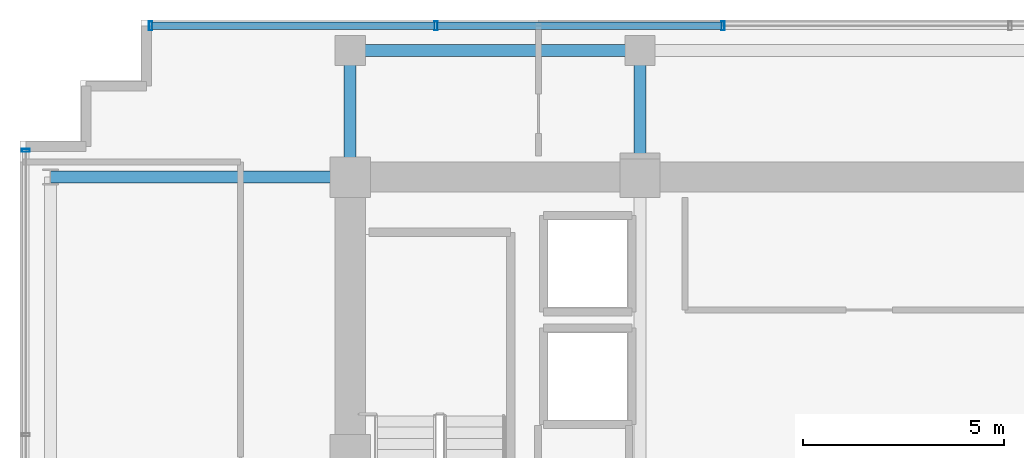
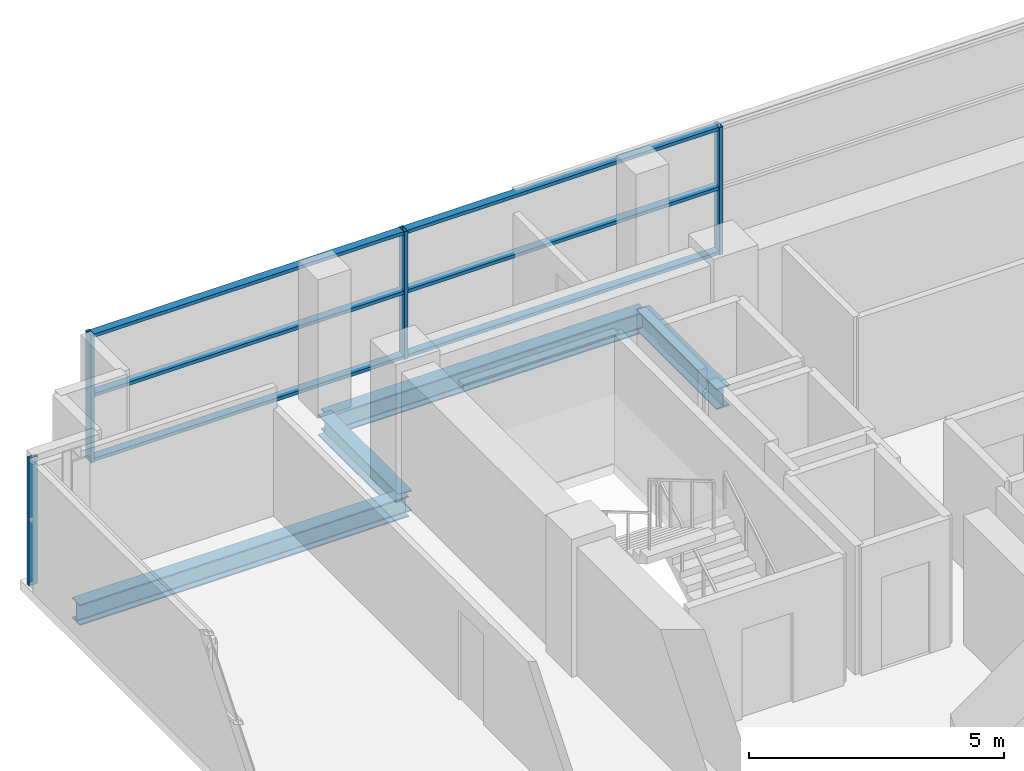
# One storey, part 10 of 21: 10 members, 4 beams, 2 elements without a shape of their own.
"""IFC4 building model written with IfcOpenShell, lengths in metres."""

from ifc_helpers import new_model, si_unit, direction, frame, origin, origin_2d, place, context, subcontext, project, spatial, hollow_rectangle, i_section, extrude, source, transform, mapped, material, layer, layer_set, material_profile, profile_set, type_object, element, aggregate, save


model = new_model("IFC4")

# Units and contexts
model_context = context("Model", 3, precision=1e-05, world=origin(), true_north=direction((0.0, 1.0)))
body_context = subcontext(model_context, "Body", "Model", "MODEL_VIEW")
ifc_project = project(units=[si_unit("LENGTHUNIT", "METRE"), si_unit("AREAUNIT", "SQUARE_METRE"), si_unit("VOLUMEUNIT", "CUBIC_METRE"), si_unit("PLANEANGLEUNIT", "RADIAN"), si_unit("MASSUNIT", "GRAM", prefix="KILO")], contexts=[model_context])

# Site, building, storey
site_placement = place(None, origin())
site = spatial("IfcSite", under=ifc_project, at=site_placement, CompositionType="ELEMENT")
building_placement = place(site_placement, origin())
building = spatial("IfcBuilding", under=site, at=building_placement, Name="Zarnakvel Exchange Tower", CompositionType="ELEMENT")
storey_placement = place(building_placement, frame((0.0, 0.0, 182.5)))
storey = spatial("IfcBuildingStorey", under=building, at=storey_placement, Name="L51", CompositionType="ELEMENT", Elevation=182.5)

# Beams
ifc_material_1 = material(Name="Steel S355", Category="steel")
ifc_material_profile_1 = material_profile(ifc_material_1, i_section(OverallWidth=0.300048828125, OverallDepth=0.5, WebThickness=0.014404296875, FlangeThickness=0.028076171875, FilletRadius=0.027099609375, at=origin_2d()))
ifc_profile_set_1 = profile_set([ifc_material_profile_1], Name="Steel S355")
beam_type_1 = type_object("IfcBeamType", Name="G-06", PredefinedType="BEAM", material=ifc_profile_set_1)
beam_1_placement = place(storey_placement, frame((-21.85009765625, 13.5, -0.47509765625), z_axis=(1.0, 0.0, 0.0), x_axis=(0.0, 1.0, 0.0)))
element("IfcBeam", 1, at=beam_1_placement, inside=storey, type_object=beam_type_1, Name="L51 Tower E-W Frame Beam", PredefinedType="BEAM", context=body_context, shape_type="SweptSolid", body=[
    extrude(i_section(OverallWidth=0.300048828125, OverallDepth=0.5, WebThickness=0.014404296875, FlangeThickness=0.028076171875, FilletRadius=0.027099609375, at=origin_2d()), origin(), (0.0, 0.0, 1.0), 7.4501953125),
])
for number, where, z_axis, x_axis, name in (
    (2, (-14.39990234375, 13.5, -0.47509765625), (0.0, 1.0, 0.0), (-1.0, 0.0, 0.0), "L51 Tower N-S Frame Beam"),
    (3, (-7.199951171875, 13.5, -0.47509765625), (0.0, 1.0, 0.0), (-1.0, 0.0, 0.0), "L51 Tower N-S Frame Beam"),
):
    element("IfcBeam", number, at=place(storey_placement, frame(where, z_axis=z_axis, x_axis=x_axis)), inside=storey, type_object=beam_type_1, Name=name, PredefinedType="BEAM", context=body_context, shape_type="SweptSolid", body=[
        extrude(i_section(OverallWidth=0.300048828125, OverallDepth=0.5, WebThickness=0.014404296875, FlangeThickness=0.028076171875, FilletRadius=0.027099609375, at=origin_2d()), origin(), (0.0, 0.0, 1.0), 3.14990234375),
    ])
ifc_material_profile_2 = material_profile(ifc_material_1, i_section(OverallWidth=0.300048828125, OverallDepth=0.5, WebThickness=0.014404296875, FlangeThickness=0.028076171875, FilletRadius=0.027099609375, at=origin_2d()))
ifc_profile_set_2 = profile_set([ifc_material_profile_2], Name="Steel S355")
beam_type_2 = type_object("IfcBeamType", Name="SP-02", PredefinedType="SPANDREL", material=ifc_profile_set_2)
beam_2_placement = place(storey_placement, frame((-14.39990234375, 16.64990234375, -0.47509765625), z_axis=(1.0, 0.0, 0.0), x_axis=(0.0, 1.0, 0.0)))
element("IfcBeam", 4, at=beam_2_placement, inside=storey, type_object=beam_type_2, Name="L51 Tower E-W Frame Beam", PredefinedType="SPANDREL", context=body_context, shape_type="SweptSolid", body=[
    extrude(i_section(OverallWidth=0.300048828125, OverallDepth=0.5, WebThickness=0.014404296875, FlangeThickness=0.028076171875, FilletRadius=0.027099609375, at=origin_2d()), origin(), (0.0, 0.0, 1.0), 7.199951171875),
])

# Curtain wall, member
ifc_material_2 = material(Name="Architectural Bronze Anodised Aluminium", Category="aluminium")
ifc_layer_1 = layer(ifc_material_2, 0.199951171875)
ifc_layer_set_1 = layer_set([ifc_layer_1], Name="Architectural Bronze Anodised Aluminium")
curtain_wall_type_1 = type_object("IfcCurtainWallType", Name="CW-04", PredefinedType="NOTDEFINED", material=ifc_layer_set_1)
curtain_wall_1_placement = place(storey_placement, origin())
curtain_wall_1 = element("IfcCurtainWall", 5, at=curtain_wall_1_placement, inside=storey, type_object=curtain_wall_type_1, Name="L51 Curtain Wall CW-L51-W1 (CW-04)", PredefinedType="NOTDEFINED")
ifc_material_profile_3 = material_profile(ifc_material_2, hollow_rectangle(XDim=0.199951171875, YDim=0.074951171875, WallThickness=0.0048828125, at=origin_2d()))
ifc_profile_set_3 = profile_set([ifc_material_profile_3], Name="Architectural Bronze Anodised Aluminium")
member_type_1 = type_object("IfcMemberType", Name="CWM-04", PredefinedType="MULLION", material=ifc_profile_set_3)
shared_shape_1 = source(origin(), body_context, "Body", "SweptSolid", [
    extrude(hollow_rectangle(XDim=0.199951171875, YDim=0.074951171875, WallThickness=0.0048828125, at=origin_2d()), origin(), (0.0, 0.0, 1.0), 3.054931640625),
])
member_1_placement = place(storey_placement, frame((-22.4599609375, 14.16259765625, 0.0), z_axis=(0.0, 0.0, 1.0), x_axis=(-1.0, 0.0, 0.0)))
member_1 = element("IfcMember", 6, at=member_1_placement, type_object=member_type_1, Name="CW-04 mullion 5", PredefinedType="MULLION", context=body_context, shape_type="MappedRepresentation", body=[
    mapped(shared_shape_1, transform((0.0, 0.0, 0.0), x_axis=(1.0, 0.0, 0.0), y_axis=(0.0, 1.0, 0.0), z_axis=(0.0, 0.0, 1.0), scale=1.0)),
])
aggregate(curtain_wall_1, [member_1])

# Curtain wall, members
ifc_layer_2 = layer(ifc_material_2, 0.219970703125)
ifc_layer_set_2 = layer_set([ifc_layer_2], Name="Architectural Bronze Anodised Aluminium")
curtain_wall_type_2 = type_object("IfcCurtainWallType", Name="CW-03", PredefinedType="NOTDEFINED", material=ifc_layer_set_2)
curtain_wall_2_placement = place(storey_placement, origin())
curtain_wall_2 = element("IfcCurtainWall", 7, at=curtain_wall_2_placement, inside=storey, type_object=curtain_wall_type_2, Name="L51 Curtain Wall CW-L51-N1 (CW-03)", PredefinedType="NOTDEFINED")
ifc_material_profile_4 = material_profile(ifc_material_2, hollow_rectangle(XDim=0.219970703125, YDim=0.080078125, WallThickness=0.0048828125, at=origin_2d()))
ifc_profile_set_4 = profile_set([ifc_material_profile_4], Name="Architectural Bronze Anodised Aluminium")
member_type_2 = type_object("IfcMemberType", Name="CWM-03", PredefinedType="MULLION", material=ifc_profile_set_4)
shared_shape_2 = source(origin(), body_context, "Body", "SweptSolid", [
    extrude(hollow_rectangle(XDim=0.219970703125, YDim=0.080078125, WallThickness=0.0048828125, at=origin_2d()), origin(), (0.0, 0.0, 1.0), 3.054931640625),
])
member_2_placement = place(storey_placement, frame((-19.360107421875, 17.260009765625, 0.0), z_axis=(0.0, 0.0, 1.0), x_axis=(0.0, 1.0, 0.0)))
member_2 = element("IfcMember", 8, at=member_2_placement, type_object=member_type_2, Name="CW-03 mullion 1", PredefinedType="MULLION", context=body_context, shape_type="MappedRepresentation", body=[
    mapped(shared_shape_2, transform((0.0, 0.0, 0.0), x_axis=(1.0, 0.0, 0.0), y_axis=(0.0, 1.0, 0.0), z_axis=(0.0, 0.0, 1.0), scale=1.0)),
])
member_3_placement = place(storey_placement, frame((-12.2666015625, 17.260009765625, 0.0), z_axis=(0.0, 0.0, 1.0), x_axis=(0.0, 1.0, 0.0)))
member_3 = element("IfcMember", 9, at=member_3_placement, type_object=member_type_2, Name="CW-03 mullion 2", PredefinedType="MULLION", context=body_context, shape_type="MappedRepresentation", body=[
    mapped(shared_shape_2, transform((0.0, 0.0, 0.0), x_axis=(1.0, 0.0, 0.0), y_axis=(0.0, 1.0, 0.0), z_axis=(0.0, 0.0, 1.0), scale=1.0)),
])
member_4_placement = place(storey_placement, frame((-5.13330078125, 17.260009765625, 0.0), z_axis=(0.0, 0.0, 1.0), x_axis=(0.0, 1.0, 0.0)))
member_4 = element("IfcMember", 10, at=member_4_placement, type_object=member_type_2, Name="CW-03 mullion 3", PredefinedType="MULLION", context=body_context, shape_type="MappedRepresentation", body=[
    mapped(shared_shape_2, transform((0.0, 0.0, 0.0), x_axis=(1.0, 0.0, 0.0), y_axis=(0.0, 1.0, 0.0), z_axis=(0.0, 0.0, 1.0), scale=1.0)),
])
ifc_material_profile_5 = material_profile(ifc_material_2, hollow_rectangle(XDim=0.179931640625, YDim=0.080078125, WallThickness=0.00390625, at=origin_2d()))
ifc_profile_set_5 = profile_set([ifc_material_profile_5], Name="Architectural Bronze Anodised Aluminium")
member_type_3 = type_object("IfcMemberType", Name="CWT-03", PredefinedType="USERDEFINED", material=ifc_profile_set_5)
shared_shape_3 = source(origin(), body_context, "Body", "SweptSolid", [
    extrude(hollow_rectangle(XDim=0.179931640625, YDim=0.080078125, WallThickness=0.00390625, at=origin_2d()), origin(), (0.0, 0.0, 1.0), 7.013427734375),
])
member_5_placement = place(storey_placement, frame((-19.320068359375, 17.260009765625, 0.0400390625), z_axis=(1.0, 0.0, 0.0), x_axis=(0.0, 1.0, 0.0)))
member_5 = element("IfcMember", 11, at=member_5_placement, type_object=member_type_3, Name="CW-03 transom 1.1", ObjectType="TRANSOM", PredefinedType="USERDEFINED", context=body_context, shape_type="MappedRepresentation", body=[
    mapped(shared_shape_3, transform((0.0, 0.0, 0.0), x_axis=(1.0, 0.0, 0.0), y_axis=(0.0, 1.0, 0.0), z_axis=(0.0, 0.0, 1.0), scale=1.0)),
])
member_6_placement = place(storey_placement, frame((-19.320068359375, 17.260009765625, 1.588623046875), z_axis=(1.0, 0.0, 0.0), x_axis=(0.0, 1.0, 0.0)))
member_6 = element("IfcMember", 12, at=member_6_placement, type_object=member_type_3, Name="CW-03 transom 1.2", ObjectType="TRANSOM", PredefinedType="USERDEFINED", context=body_context, shape_type="MappedRepresentation", body=[
    mapped(shared_shape_3, transform((0.0, 0.0, 0.0), x_axis=(1.0, 0.0, 0.0), y_axis=(0.0, 1.0, 0.0), z_axis=(0.0, 0.0, 1.0), scale=1.0)),
])
member_7_placement = place(storey_placement, frame((-19.320068359375, 17.260009765625, 3.014892578125), z_axis=(1.0, 0.0, 0.0), x_axis=(0.0, 1.0, 0.0)))
member_7 = element("IfcMember", 13, at=member_7_placement, type_object=member_type_3, Name="CW-03 transom 1.3", ObjectType="TRANSOM", PredefinedType="USERDEFINED", context=body_context, shape_type="MappedRepresentation", body=[
    mapped(shared_shape_3, transform((0.0, 0.0, 0.0), x_axis=(1.0, 0.0, 0.0), y_axis=(0.0, 1.0, 0.0), z_axis=(0.0, 0.0, 1.0), scale=1.0)),
])
shared_shape_4 = source(origin(), body_context, "Body", "SweptSolid", [
    extrude(hollow_rectangle(XDim=0.179931640625, YDim=0.080078125, WallThickness=0.00390625, at=origin_2d()), origin(), (0.0, 0.0, 1.0), 7.05322265625),
])
member_8_placement = place(storey_placement, frame((-12.2265625, 17.260009765625, 0.0400390625), z_axis=(1.0, 0.0, 0.0), x_axis=(0.0, 1.0, 0.0)))
member_8 = element("IfcMember", 14, at=member_8_placement, type_object=member_type_3, Name="CW-03 transom 2.1", ObjectType="TRANSOM", PredefinedType="USERDEFINED", context=body_context, shape_type="MappedRepresentation", body=[
    mapped(shared_shape_4, transform((0.0, 0.0, 0.0), x_axis=(1.0, 0.0, 0.0), y_axis=(0.0, 1.0, 0.0), z_axis=(0.0, 0.0, 1.0), scale=1.0)),
])
member_9_placement = place(storey_placement, frame((-12.2265625, 17.260009765625, 1.588623046875), z_axis=(1.0, 0.0, 0.0), x_axis=(0.0, 1.0, 0.0)))
member_9 = element("IfcMember", 15, at=member_9_placement, type_object=member_type_3, Name="CW-03 transom 2.2", ObjectType="TRANSOM", PredefinedType="USERDEFINED", context=body_context, shape_type="MappedRepresentation", body=[
    mapped(shared_shape_4, transform((0.0, 0.0, 0.0), x_axis=(1.0, 0.0, 0.0), y_axis=(0.0, 1.0, 0.0), z_axis=(0.0, 0.0, 1.0), scale=1.0)),
])
member_10_placement = place(storey_placement, frame((-12.2265625, 17.260009765625, 3.014892578125), z_axis=(1.0, 0.0, 0.0), x_axis=(0.0, 1.0, 0.0)))
member_10 = element("IfcMember", 16, at=member_10_placement, type_object=member_type_3, Name="CW-03 transom 2.3", ObjectType="TRANSOM", PredefinedType="USERDEFINED", context=body_context, shape_type="MappedRepresentation", body=[
    mapped(shared_shape_4, transform((0.0, 0.0, 0.0), x_axis=(1.0, 0.0, 0.0), y_axis=(0.0, 1.0, 0.0), z_axis=(0.0, 0.0, 1.0), scale=1.0)),
])
aggregate(curtain_wall_2, [member_2, member_3, member_4, member_5, member_6, member_7, member_8, member_9, member_10])

save(model, "model.ifc")
